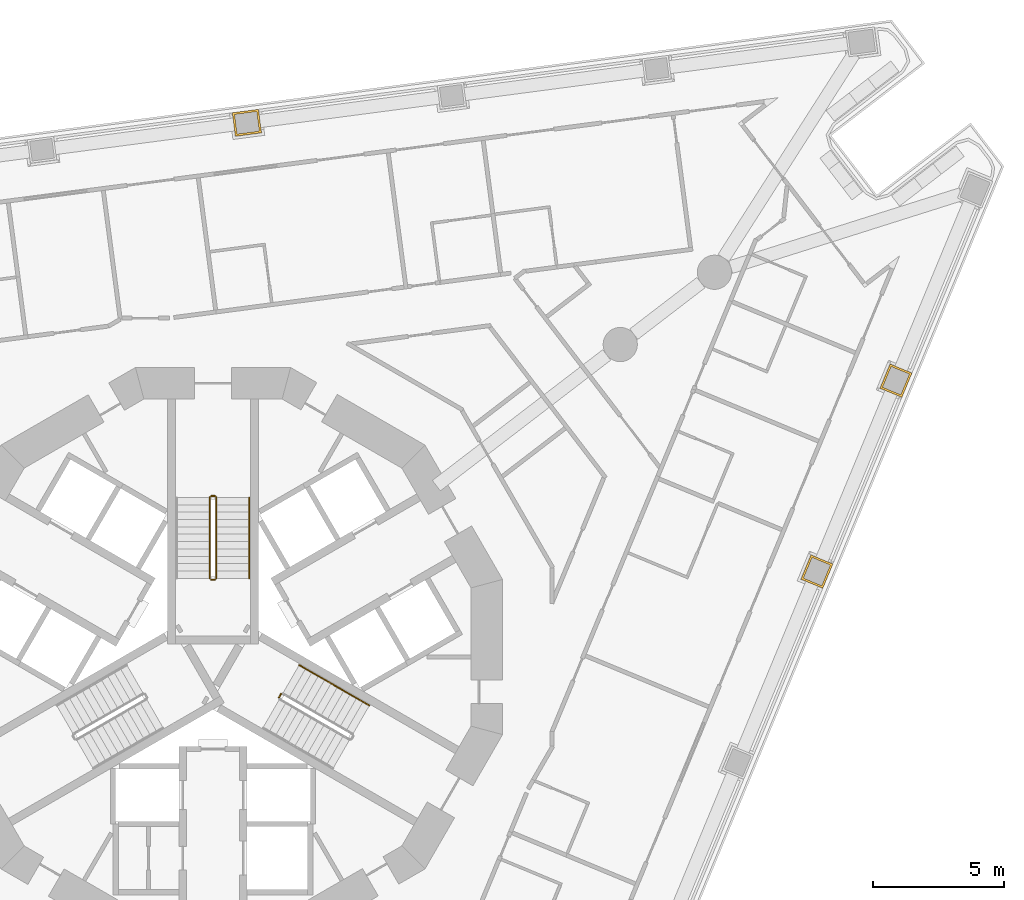
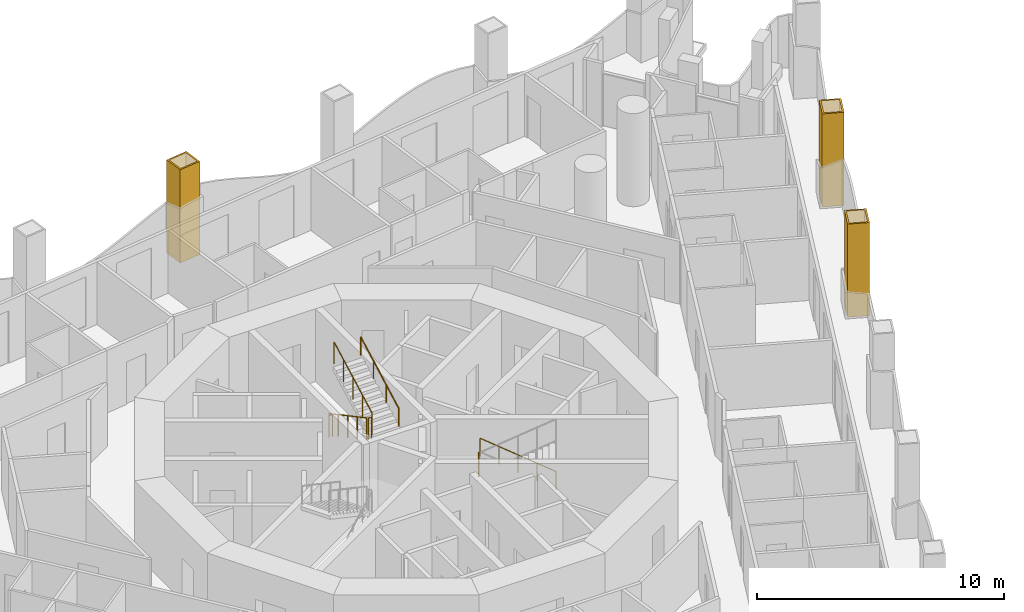
# One storey, part 17 of 19: 8 railings, 3 coverings.
"""IFC4 building model written with IfcOpenShell, lengths in metres."""

from ifc_helpers import new_model, si_unit, direction, frame, origin, origin_2d, place, context, subcontext, project, spatial, polyline, circle, outline, extrude, material, layer, layer_set, type_object, element, save


model = new_model("IFC4")

# Units and contexts
model_context = context("Model", 3, precision=1e-05, world=origin(), true_north=direction((0.0, 1.0)))
body_context = subcontext(model_context, "Body", "Model", "MODEL_VIEW")
ifc_project = project(units=[si_unit("LENGTHUNIT", "METRE"), si_unit("AREAUNIT", "SQUARE_METRE"), si_unit("VOLUMEUNIT", "CUBIC_METRE"), si_unit("PLANEANGLEUNIT", "RADIAN"), si_unit("MASSUNIT", "GRAM", prefix="KILO")], contexts=[model_context])

# Site, building, storey
site_placement = place(None, origin())
site = spatial("IfcSite", under=ifc_project, at=site_placement, CompositionType="ELEMENT")
building_placement = place(site_placement, origin())
building = spatial("IfcBuilding", under=site, at=building_placement, Name="Trine Commons Tower", CompositionType="ELEMENT")
storey_placement = place(building_placement, frame((0.0, 0.0, 79.199951171875)))
storey = spatial("IfcBuildingStorey", under=building, at=storey_placement, Name="L19", CompositionType="ELEMENT", Elevation=79.199951171875)

# Coverings
ifc_material_1 = material(Name="Limestone, honed", Category="masonry")
ifc_layer = layer(ifc_material_1, 0.074951171875)
ifc_layer_set = layer_set([ifc_layer], Name="Limestone, honed")
covering_type = type_object("IfcCoveringType", Name="Limestone column cladding 75", PredefinedType="CLADDING", material=ifc_layer_set)
covering_1_placement = place(storey_placement, origin())
element("IfcCovering", 1, at=covering_1_placement, inside=storey, type_object=covering_type, Name="Limestone pier cladding 2-13", PredefinedType="CLADDING", context=body_context, shape_type="SweptSolid", body=[
    extrude(outline(polyline([(81.843505859375, 82.43798828125), (81.72607421875, 83.330322265625), (80.734619140625, 83.19970703125), (80.85205078125, 82.3076171875), (81.843505859375, 82.43798828125)]), holes=[polyline([(81.759521484375, 82.502685546875), (81.66162109375, 83.24609375), (80.81884765625, 83.13525390625), (80.916748046875, 82.3916015625), (81.759521484375, 82.502685546875)])]), origin(), (0.0, 0.0, 1.0), 4.609619140625),
])
covering_2_placement = place(storey_placement, origin())
element("IfcCovering", 2, at=covering_2_placement, inside=storey, type_object=covering_type, Name="Limestone pier cladding 2-18", PredefinedType="CLADDING", context=body_context, shape_type="SweptSolid", body=[
    extrude(outline(polyline([(106.58349609375, 73.30029296875), (105.751953125, 73.644775390625), (105.369140625, 72.720947265625), (106.20068359375, 72.37646484375), (106.58349609375, 73.30029296875)]), holes=[polyline([(106.4853515625, 73.259765625), (105.79248046875, 73.546875), (105.46728515625, 72.761474609375), (106.16015625, 72.474365234375), (106.4853515625, 73.259765625)])]), origin(), (0.0, 0.0, 1.0), 4.609619140625),
])
covering_3_placement = place(storey_placement, origin())
element("IfcCovering", 3, at=covering_3_placement, inside=storey, type_object=covering_type, Name="Limestone pier cladding 2-19", PredefinedType="CLADDING", context=body_context, shape_type="SweptSolid", body=[
    extrude(outline(polyline([(103.575439453125, 66.0380859375), (102.743896484375, 66.382568359375), (102.361083984375, 65.458740234375), (103.192626953125, 65.114501953125), (103.575439453125, 66.0380859375)]), holes=[polyline([(103.477294921875, 65.99755859375), (102.784423828125, 66.28466796875), (102.459228515625, 65.49951171875), (103.152099609375, 65.21240234375), (103.477294921875, 65.99755859375)])]), origin(), (0.0, 0.0, 1.0), 4.609619140625),
])

# Railings
ifc_material_2 = material(Name="Stainless steel balustrade", Category="steel")
railing_type_1 = type_object("IfcRailingType", Name="Stair guard, steel balustrade 1100", PredefinedType="GUARDRAIL", material=ifc_material_2)
railing_1_placement = place(storey_placement, frame((79.875, 68.570556640625, 0.150146484375)))
element("IfcRailing", 4, at=railing_1_placement, inside=storey, type_object=railing_type_1, Name="L19 ST1A stair guard 1", PredefinedType="GUARDRAIL", context=body_context, shape_type="SweptSolid", body=[
    extrude(circle(Radius=0.02392578125, at=origin_2d()), frame((0.0, 0.0, 1.076171875), z_axis=(0.0, -0.881496589024, 0.472190389079), x_axis=(1.0, 0.0, 0.0)), (0.0, 0.0, 1.0), 3.494140625),
    extrude(circle(Radius=0.02099609375, at=origin_2d()), origin(), (0.0, 0.0, 1.0), 1.052001953125),
    extrude(circle(Radius=0.02099609375, at=origin_2d()), frame((0.0, -0.77001953125, 0.41259765625)), (0.0, 0.0, 1.0), 1.052001953125),
    extrude(circle(Radius=0.02099609375, at=origin_2d()), frame((0.0, -1.5400390625, 0.824951171875)), (0.0, 0.0, 1.0), 1.052001953125),
    extrude(circle(Radius=0.02099609375, at=origin_2d()), frame((0.0, -2.31005859375, 1.2373046875)), (0.0, 0.0, 1.0), 1.052001953125),
    extrude(circle(Radius=0.02099609375, at=origin_2d()), frame((0.0, -3.080078125, 1.64990234375)), (0.0, 0.0, 1.0), 1.052001953125),
])
railing_2_placement = place(storey_placement, frame((79.925048828125, 65.440673828125, 1.800048828125)))
element("IfcRailing", 5, at=railing_2_placement, inside=storey, type_object=railing_type_1, Name="L19 ST1A stair guard 2", PredefinedType="GUARDRAIL", context=body_context, shape_type="SweptSolid", body=[
    extrude(circle(Radius=0.02392578125, at=origin_2d()), frame((0.0, 0.0, 1.076171875), z_axis=(1.0, 0.0, 0.0), x_axis=(0.0, 1.0, 0.0)), (0.0, 0.0, 1.0), 0.14990234375),
    extrude(circle(Radius=0.02099609375, at=origin_2d()), origin(), (0.0, 0.0, 1.0), 1.052001953125),
    extrude(circle(Radius=0.02099609375, at=origin_2d()), frame((0.14990234375, 0.0, 0.0)), (0.0, 0.0, 1.0), 1.052001953125),
])
railing_3_placement = place(storey_placement, frame((80.125, 65.490478515625, 1.949951171875)))
element("IfcRailing", 6, at=railing_3_placement, inside=storey, type_object=railing_type_1, Name="L19 ST1A stair guard 3", PredefinedType="GUARDRAIL", context=body_context, shape_type="SweptSolid", body=[
    extrude(circle(Radius=0.02392578125, at=origin_2d()), frame((0.0, 0.0, 1.076171875), z_axis=(0.0, 0.881467505477, 0.472244678941), x_axis=(-1.0, 0.0, 0.0)), (0.0, 0.0, 1.0), 3.494140625),
    extrude(circle(Radius=0.02099609375, at=origin_2d()), origin(), (0.0, 0.0, 1.0), 1.052001953125),
    extrude(circle(Radius=0.02099609375, at=origin_2d()), frame((0.0, 0.77001953125, 0.41259765625)), (0.0, 0.0, 1.0), 1.052001953125),
    extrude(circle(Radius=0.02099609375, at=origin_2d()), frame((0.0, 1.5400390625, 0.8251953125)), (0.0, 0.0, 1.0), 1.052001953125),
    extrude(circle(Radius=0.02099609375, at=origin_2d()), frame((0.0, 2.31005859375, 1.237548828125)), (0.0, 0.0, 1.0), 1.052001953125),
    extrude(circle(Radius=0.02099609375, at=origin_2d()), frame((0.0, 3.080078125, 1.650146484375)), (0.0, 0.0, 1.0), 1.052001953125),
])
railing_4_placement = place(storey_placement, frame((79.925048828125, 68.62060546875, 0.0)))
element("IfcRailing", 7, at=railing_4_placement, inside=storey, type_object=railing_type_1, Name="L19 ST1A stair guard 4", PredefinedType="GUARDRAIL", context=body_context, shape_type="SweptSolid", body=[
    extrude(circle(Radius=0.02392578125, at=origin_2d()), frame((0.0, 0.0, 1.076171875), z_axis=(1.0, 0.0, 0.0), x_axis=(0.0, 1.0, 0.0)), (0.0, 0.0, 1.0), 0.14990234375),
    extrude(circle(Radius=0.02099609375, at=origin_2d()), origin(), (0.0, 0.0, 1.0), 1.052001953125),
    extrude(circle(Radius=0.02099609375, at=origin_2d()), frame((0.14990234375, 0.0, 0.0)), (0.0, 0.0, 1.0), 1.052001953125),
])
railing_5_placement = place(storey_placement, frame((82.584228515625, 61.0947265625, 1.800048828125)))
element("IfcRailing", 8, at=railing_5_placement, inside=storey, type_object=railing_type_1, Name="L19 ST3A stair guard 2", PredefinedType="GUARDRAIL", context=body_context, shape_type="SweptSolid", body=[
    extrude(circle(Radius=0.02392578125, at=origin_2d()), frame((0.0, 0.0, 1.076171875), z_axis=(-0.501036270542, -0.865426285481, 0.0), x_axis=(0.865426285481, -0.501036270542, 0.0)), (0.0, 0.0, 1.0), 0.150146484375),
    extrude(circle(Radius=0.02099609375, at=origin_2d()), origin(), (0.0, 0.0, 1.0), 1.052001953125),
    extrude(circle(Radius=0.02099609375, at=origin_2d()), frame((-0.0751953125, -0.1298828125, 0.0)), (0.0, 0.0, 1.0), 1.052001953125),
])
ifc_material_3 = material(Name="Stainless steel handrail", Category="steel")
railing_type_2 = type_object("IfcRailingType", Name="Stair handrail, steel 900", PredefinedType="HANDRAIL", material=ifc_material_3)
railing_6_placement = place(storey_placement, frame((81.375, 65.490478515625, 1.949951171875)))
element("IfcRailing", 9, at=railing_6_placement, inside=storey, type_object=railing_type_2, Name="L19 ST1A stair handrail 2", PredefinedType="HANDRAIL", context=body_context, shape_type="SweptSolid", body=[
    extrude(circle(Radius=0.02099609375, at=origin_2d()), frame((0.0, 0.0, 0.87890625), z_axis=(0.0, 0.881467505477, 0.472244678941), x_axis=(-1.0, 0.0, 0.0)), (0.0, 0.0, 1.0), 3.494140625),
    extrude(circle(Radius=0.01513671875, at=origin_2d()), origin(), (0.0, 0.0, 1.0), 0.85791015625),
    extrude(circle(Radius=0.01513671875, at=origin_2d()), frame((0.0, 1.026611328125, 0.550048828125)), (0.0, 0.0, 1.0), 0.85791015625),
    extrude(circle(Radius=0.01513671875, at=origin_2d()), frame((0.0, 2.053466796875, 1.10009765625)), (0.0, 0.0, 1.0), 0.85791015625),
    extrude(circle(Radius=0.01513671875, at=origin_2d()), frame((0.0, 3.080078125, 1.650146484375)), (0.0, 0.0, 1.0), 0.85791015625),
])
for number, where, name in (
    (10, (85.94482421875, 60.655517578125, 0.150146484375), "L19 ST3A stair handrail 1"),
    (11, (84.611083984375, 61.425537109375, 0.97509765625), "L19 ST3A stair handrail 2"),
):
    element("IfcRailing", number, at=place(storey_placement, frame(where)), inside=storey, type_object=railing_type_2, Name=name, PredefinedType="HANDRAIL", context=body_context, shape_type="SweptSolid", body=[
        extrude(circle(Radius=0.02099609375, at=origin_2d()), frame((0.0, 0.0, 0.87890625), z_axis=(-0.76340495495, 0.440743040072, 0.472184759798), x_axis=(-0.499992328818, -0.866029832698, 0.0)), (0.0, 0.0, 1.0), 1.7470703125),
        extrude(circle(Radius=0.01513671875, at=origin_2d()), origin(), (0.0, 0.0, 1.0), 0.85791015625),
        extrude(circle(Radius=0.01513671875, at=origin_2d()), frame((-0.6669921875, 0.385009765625, 0.41259765625)), (0.0, 0.0, 1.0), 0.85791015625),
        extrude(circle(Radius=0.01513671875, at=origin_2d()), frame((-1.333740234375, 0.77001953125, 0.824951171875)), (0.0, 0.0, 1.0), 0.85791015625),
    ])

save(model, "model.ifc")
